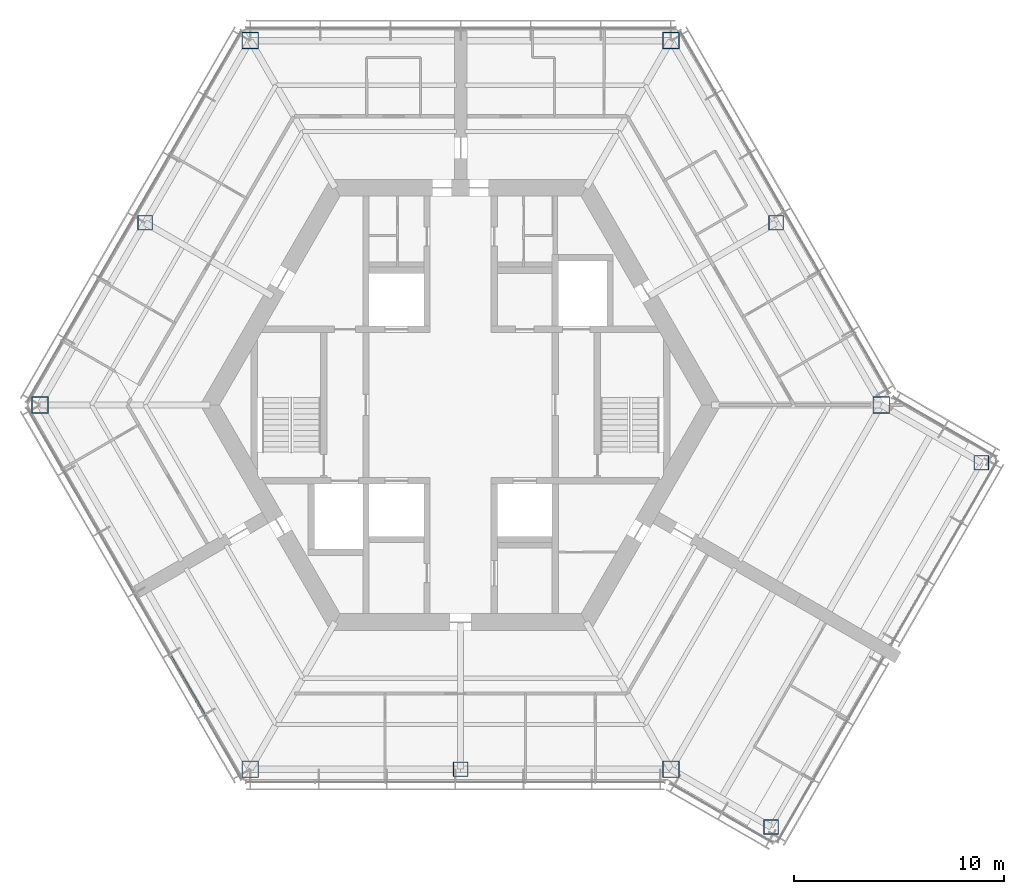
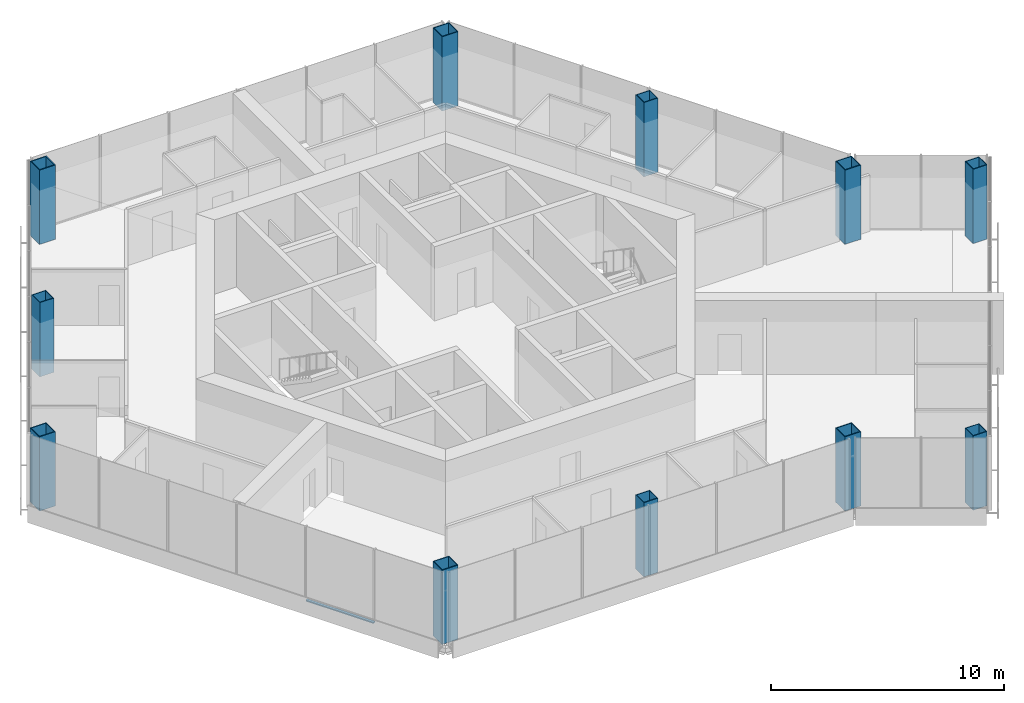
# One storey, part 1 of 13: 11 columns, 1 member, 1 element without a shape of its own.
"""IFC4 building model written with IfcOpenShell, lengths in metres."""

import ifcopenshell
import ifcopenshell.guid

model = None  # the IFC model being written
_history = None  # IfcOwnerHistory: only IFC2X3 demands one
_inside = {}  # id of a spatial element -> (the spatial element, [elements in it])
_under = {}  # id of a project, library or spatial element -> (it, [spatial elements below it])
_declared = {}  # id of a project -> (the project, [libraries it declares])
_typed = {}  # id of a type object -> (the type object, [elements of that type])
_made_of = {}  # id of a material, layer set ... -> (it, [elements and type objects made of it])


def new_model(schema):
    """Start an empty IFC model of exactly this schema.

    Asked for "IFC4X3", IfcOpenShell would pick the latest addendum, in which some entities
    have other attributes; the version numbers below select the first issue.
    IFC2X3 requires an IfcOwnerHistory on every rooted entity: one is made here for all.
    """
    global model, _history
    if schema == "IFC4X3":
        model = ifcopenshell.file(schema_version=(4, 3, 0, 0))
    else:
        model = ifcopenshell.file(schema=schema)
    _inside.clear()
    _under.clear()
    _declared.clear()
    _typed.clear()
    _made_of.clear()
    _history = None
    if model.schema == "IFC2X3":
        org = make("IfcOrganization", Name="unknown")
        user = make(
            "IfcPersonAndOrganization",
            ThePerson=make("IfcPerson", FamilyName="unknown"),
            TheOrganization=org,
        )
        app = make(
            "IfcApplication",
            ApplicationDeveloper=org,
            Version="unknown",
            ApplicationFullName="unknown",
            ApplicationIdentifier="unknown",
        )
        _history = make(
            "IfcOwnerHistory",
            OwningUser=user,
            OwningApplication=app,
            ChangeAction="ADDED",
            CreationDate=0,
        )
    return model


def make(cls, **values):
    """One entity of the class cls with the attributes given. An attribute that is None is left unset."""
    return model.create_entity(
        cls, **{name: value for name, value in values.items() if value is not None}
    )


def rooted(cls, **values):
    """An entity with a GlobalId (a new one), such as an element, a storey or a relation."""
    return make(cls, GlobalId=ifcopenshell.guid.new(), OwnerHistory=_history, **values)


def si_unit(unit_type, name, prefix=None):
    """IfcSIUnit, for example si_unit("LENGTHUNIT", "METRE", prefix="MILLI")."""
    return make("IfcSIUnit", UnitType=unit_type, Prefix=prefix, Name=name)


def assignment(units):
    """IfcUnitAssignment: the units of a project."""
    return None if units is None else make("IfcUnitAssignment", Units=units)


def point(xyz):
    """IfcCartesianPoint."""
    return None if xyz is None else make("IfcCartesianPoint", Coordinates=xyz)


def direction(xyz):
    """IfcDirection."""
    return None if xyz is None else make("IfcDirection", DirectionRatios=xyz)


def frame(location, z_axis=None, x_axis=None):
    """IfcAxis2Placement3D, a coordinate frame: its origin and axes. An axis left out is left unset."""
    return make(
        "IfcAxis2Placement3D",
        Location=point(location),
        Axis=direction(z_axis),
        RefDirection=direction(x_axis),
    )


def frame_2d(location, x_axis=None):
    """IfcAxis2Placement2D, a coordinate frame in the plane: its origin and x axis."""
    return make(
        "IfcAxis2Placement2D", Location=point(location), RefDirection=direction(x_axis)
    )


def origin():
    """The frame at (0, 0, 0) with its axes left unset."""
    return frame((0.0, 0.0, 0.0))


def origin_2d():
    """The frame at (0, 0) in the plane with its x axis left unset."""
    return frame_2d((0.0, 0.0))


def place(relative_to, where):
    """IfcLocalPlacement: puts the frame where relative to a parent placement (None: the world)."""
    return make(
        "IfcLocalPlacement", PlacementRelTo=relative_to, RelativePlacement=where
    )


def context(
    kind, dimensions, precision=None, world=None, true_north=None, identifier=None
):
    """IfcGeometricRepresentationContext, for example the 3D "Model" context."""
    return make(
        "IfcGeometricRepresentationContext",
        ContextIdentifier=identifier,
        ContextType=kind,
        CoordinateSpaceDimension=dimensions,
        Precision=precision,
        WorldCoordinateSystem=world,
        TrueNorth=true_north,
    )


def subcontext(parent, identifier, kind, view, scale=None):
    """IfcGeometricRepresentationSubContext, for example "Body" below "Model"."""
    return make(
        "IfcGeometricRepresentationSubContext",
        ContextIdentifier=identifier,
        ContextType=kind,
        ParentContext=parent,
        TargetScale=scale,
        TargetView=view,
    )


def project(units=None, contexts=None):
    """IfcProject with its units and contexts."""
    return rooted(
        "IfcProject",
        Name="project",
        RepresentationContexts=contexts,
        UnitsInContext=assignment(units),
    )


def spatial(cls, under=None, at=None, **own):
    """A site, building, storey or space (cls), placed at a placement, below another one or the project."""
    s = rooted(cls, ObjectPlacement=at, **own)
    if under is not None:
        _under.setdefault(under.id(), (under, []))[1].append(s)
    return s


def profile(cls, at=None, kind="AREA", **sizes):
    """A parametric profile (cls). Its sizes go by their IFC names, for example OverallWidth=200.0."""
    return make(cls, ProfileType=kind, Position=at, **sizes)


def rectangle(**sizes):
    """IfcRectangleProfileDef."""
    return profile("IfcRectangleProfileDef", **sizes)


def hollow_rectangle(**sizes):
    """IfcRectangleHollowProfileDef."""
    return profile("IfcRectangleHollowProfileDef", **sizes)


def extrude(swept, where, along, depth):
    """IfcExtrudedAreaSolid: the profile swept, set in the frame where, extruded along a direction by depth."""
    return make(
        "IfcExtrudedAreaSolid",
        SweptArea=swept,
        Position=where,
        ExtrudedDirection=direction(along),
        Depth=depth,
    )


def shape(context_of_items, identifier, shape_type, items):
    """IfcShapeRepresentation: the items that make up one representation, for example the "Body"."""
    return make(
        "IfcShapeRepresentation",
        ContextOfItems=context_of_items,
        RepresentationIdentifier=identifier,
        RepresentationType=shape_type,
        Items=items,
    )


def material(Name=None, Category=None):
    """IfcMaterial."""
    return make("IfcMaterial", Name=Name, Category=Category)


def material_profile(
    of_material, cross_section, Name=None, Category=None, Priority=None
):
    """IfcMaterialProfile: a cross section and its material."""
    return make(
        "IfcMaterialProfile",
        Name=Name,
        Material=of_material,
        Profile=cross_section,
        Priority=Priority,
        Category=Category,
    )


def profile_set(profiles, Name=None, composite=None):
    """IfcMaterialProfileSet."""
    return make(
        "IfcMaterialProfileSet",
        Name=Name,
        MaterialProfiles=profiles,
        CompositeProfile=composite,
    )


def made_of(thing, what):
    """Note that an element or type object is made of a material, layer set ...; save() writes the relation."""
    if what is not None:
        _made_of.setdefault(what.id(), (what, []))[1].append(thing)
    return thing


def type_object(cls, material=None, **own):
    """A type object (cls), such as IfcWallType, which elements share."""
    return made_of(rooted(cls, **own), material)


def element(
    cls,
    number,
    at=None,
    inside=None,
    cuts=None,
    type_object=None,
    material=None,
    context=None,
    identifier="Body",
    shape_type=None,
    held_by="IfcProductDefinitionShape",
    body=None,
    shapes=None,
    **own,
):
    """One element of the class cls, such as IfcWall. Its Tag is "e" and its number.

    at: its placement. inside: the storey or other place that contains it. cuts: it is an
    opening in that element (IfcRelVoidsElement). A single representation is given by context,
    identifier, shape_type and body (its items); several are given by shapes. held_by: the class
    of the entity that holds the representations. save() writes the other relations.
    """
    e = rooted(cls, Tag="e%d" % number, ObjectPlacement=at, **own)
    if body is not None:
        shapes = [shape(context, identifier, shape_type, body)]
    if shapes is not None:
        e.Representation = make(held_by, Representations=shapes)
    if inside is not None:
        _inside.setdefault(inside.id(), (inside, []))[1].append(e)
    if cuts is not None:
        rooted(
            "IfcRelVoidsElement", RelatingBuildingElement=cuts, RelatedOpeningElement=e
        )
    if type_object is not None:
        _typed.setdefault(type_object.id(), (type_object, []))[1].append(e)
    return made_of(e, material)


def aggregate(whole, parts):
    """IfcRelAggregates: a whole, such as a stair, and the parts it consists of."""
    return rooted("IfcRelAggregates", RelatingObject=whole, RelatedObjects=parts)


def save(model, path):
    """Write the relations noted so far, then the file.

    IfcRelAggregates (storeys below a building ...), IfcRelContainedInSpatialStructure (elements
    in a storey), IfcRelDefinesByType, IfcRelAssociatesMaterial and IfcRelDeclares: one each for
    every whole, place, type object, material and project.
    """
    for whole, parts in _under.values():
        aggregate(whole, parts)
    for where, things in _inside.values():
        rooted(
            "IfcRelContainedInSpatialStructure",
            RelatedElements=things,
            RelatingStructure=where,
        )
    for kind, things in _typed.values():
        rooted("IfcRelDefinesByType", RelatedObjects=things, RelatingType=kind)
    for what, things in _made_of.values():
        rooted("IfcRelAssociatesMaterial", RelatedObjects=things, RelatingMaterial=what)
    for by, libraries in _declared.values():
        rooted("IfcRelDeclares", RelatingContext=by, RelatedDefinitions=libraries)
    model.write(path)


model = new_model("IFC4")

# Units and contexts
model_context = context("Model", 3, precision=1e-05, world=origin(), true_north=direction((0.0, 1.0)))
body_context = subcontext(model_context, "Body", "Model", "MODEL_VIEW")
ifc_project = project(units=[si_unit("LENGTHUNIT", "METRE"), si_unit("AREAUNIT", "SQUARE_METRE"), si_unit("VOLUMEUNIT", "CUBIC_METRE"), si_unit("PLANEANGLEUNIT", "RADIAN"), si_unit("MASSUNIT", "GRAM", prefix="KILO")], contexts=[model_context])

# Site, building, storey
site_placement = place(None, origin())
site = spatial("IfcSite", under=ifc_project, at=site_placement, CompositionType="ELEMENT")
building_placement = place(site_placement, origin())
building = spatial("IfcBuilding", under=site, at=building_placement, Name="Kasaneha Research Tower", CompositionType="ELEMENT")
storey_placement = place(building_placement, frame((0.0, 0.0, 271.300048828125)))
storey = spatial("IfcBuildingStorey", under=building, at=storey_placement, Name="L68", CompositionType="ELEMENT", Elevation=271.300048828125)

# Columns
ifc_material_1 = material(Name="Steel SN490C", Category="steel")
ifc_material_profile_1 = material_profile(ifc_material_1, hollow_rectangle(XDim=0.800048828125, YDim=0.800048828125, WallThickness=0.0400390625, at=origin_2d()), Name="BOX-800x800x40")
ifc_profile_set_1 = profile_set([ifc_material_profile_1], Name="Steel SN490C")
column_type_1 = type_object("IfcColumnType", Name="C4A column BOX-800x800x40", PredefinedType="COLUMN", material=ifc_profile_set_1)
for number, where, z_axis, x_axis, name in (
    (1, (20.0, 0.0, 0.0), (0.0, 0.0, 1.0), (1.0, 0.0, 0.0), "Column V0 L68"),
    (2, (10.0, 17.320556640625, 0.0), (0.0, 0.0, 1.0), (1.0, 0.0, 0.0), "Column V1 L68"),
    (3, (-10.0, 17.320556640625, 0.0), (0.0, 0.0, 1.0), (1.0, 0.0, 0.0), "Column V2 L68"),
    (4, (-20.0, 0.0, 0.0), (0.0, 0.0, 1.0), (1.0, 0.0, 0.0), "Column V3 L68"),
    (5, (-10.0, -17.320556640625, 0.0), (0.0, 0.0, 1.0), (1.0, 0.0, 0.0), "Column V4 L68"),
    (6, (10.0, -17.320556640625, 0.0), (0.0, 0.0, 1.0), (1.0, 0.0, 0.0), "Column V5 L68"),
):
    element("IfcColumn", number, at=place(storey_placement, frame(where, z_axis=z_axis, x_axis=x_axis)), inside=storey, type_object=column_type_1, Name=name, PredefinedType="COLUMN", context=body_context, shape_type="SweptSolid", body=[
        extrude(hollow_rectangle(XDim=0.800048828125, YDim=0.800048828125, WallThickness=0.0400390625, at=origin_2d()), origin(), (0.0, 0.0, 1.0), 3.89990234375),
    ])
ifc_material_2 = material(Name="Steel SN490C", Category="steel")
ifc_material_profile_2 = material_profile(ifc_material_2, hollow_rectangle(XDim=0.699951171875, YDim=0.699951171875, WallThickness=0.031982421875, at=origin_2d()), Name="BOX-700x700x32")
ifc_profile_set_2 = profile_set([ifc_material_profile_2], Name="Steel SN490C")
column_type_2 = type_object("IfcColumnType", Name="C4B column BOX-700x700x32", PredefinedType="COLUMN", material=ifc_profile_set_2)
for number, where, z_axis, x_axis, name in (
    (7, (15.0, 8.66015625, 0.0), (0.0, 0.0, 1.0), (1.0, 0.0, 0.0), "Column M030 L68"),
    (8, (-15.0, 8.66015625, 0.0), (0.0, 0.0, 1.0), (1.0, 0.0, 0.0), "Column M150 L68"),
    (9, (0.0, -17.320556640625, 0.0), (0.0, 0.0, 1.0), (1.0, 0.0, 0.0), "Column M270 L68"),
    (10, (14.76318359375, -20.070556640625, 0.0), (0.0, 0.0, 1.0), (1.0, 0.0, 0.0), "Column CSP L68"),
    (11, (24.76318359375, -2.75, 0.0), (0.0, 0.0, 1.0), (1.0, 0.0, 0.0), "Column CSN L68"),
):
    element("IfcColumn", number, at=place(storey_placement, frame(where, z_axis=z_axis, x_axis=x_axis)), inside=storey, type_object=column_type_2, Name=name, PredefinedType="COLUMN", context=body_context, shape_type="SweptSolid", body=[
        extrude(hollow_rectangle(XDim=0.699951171875, YDim=0.699951171875, WallThickness=0.031982421875, at=origin_2d()), origin(), (0.0, 0.0, 1.0), 3.89990234375),
    ])

# Curtain wall, member
ifc_material_3 = material(Name="Glass and aluminium", Category="aluminium")
curtain_wall_type = type_object("IfcCurtainWallType", Name="Crown curtain wall", PredefinedType="USERDEFINED", material=ifc_material_3)
curtain_wall_placement = place(storey_placement, origin())
curtain_wall = element("IfcCurtainWall", 12, at=curtain_wall_placement, inside=storey, type_object=curtain_wall_type, Name="CW-C L68 run 04a", ObjectType="UNITISED CURTAIN WALL", PredefinedType="USERDEFINED")
ifc_material_4 = material(Name="Aluminium 6063-T6", Category="aluminium")
ifc_material_profile_3 = material_profile(ifc_material_4, rectangle(XDim=0.1298828125, YDim=0.06005859375, at=origin_2d()), Name="CW-C transom 130x60")
ifc_profile_set_3 = profile_set([ifc_material_profile_3], Name="Aluminium 6063-T6")
member_type = type_object("IfcMemberType", Name="CW-C transom", PredefinedType="USERDEFINED", material=ifc_profile_set_3)
member_placement = place(storey_placement, frame((-13.796875, -11.944091796875, 0.030029296875), z_axis=(0.499989072476, -0.866031712701, 0.0), x_axis=(0.866031712701, 0.499989072476, 0.0)))
member = element("IfcMember", 13, at=member_placement, type_object=member_type, Name="CW-C transom 5", ObjectType="TRANSOM", PredefinedType="USERDEFINED", context=body_context, shape_type="SweptSolid", body=[
    extrude(rectangle(XDim=0.1298828125, YDim=0.06005859375, at=origin_2d()), origin(), (0.0, 0.0, 1.0), 3.35546875),
])
aggregate(curtain_wall, [member])

save(model, "model.ifc")
